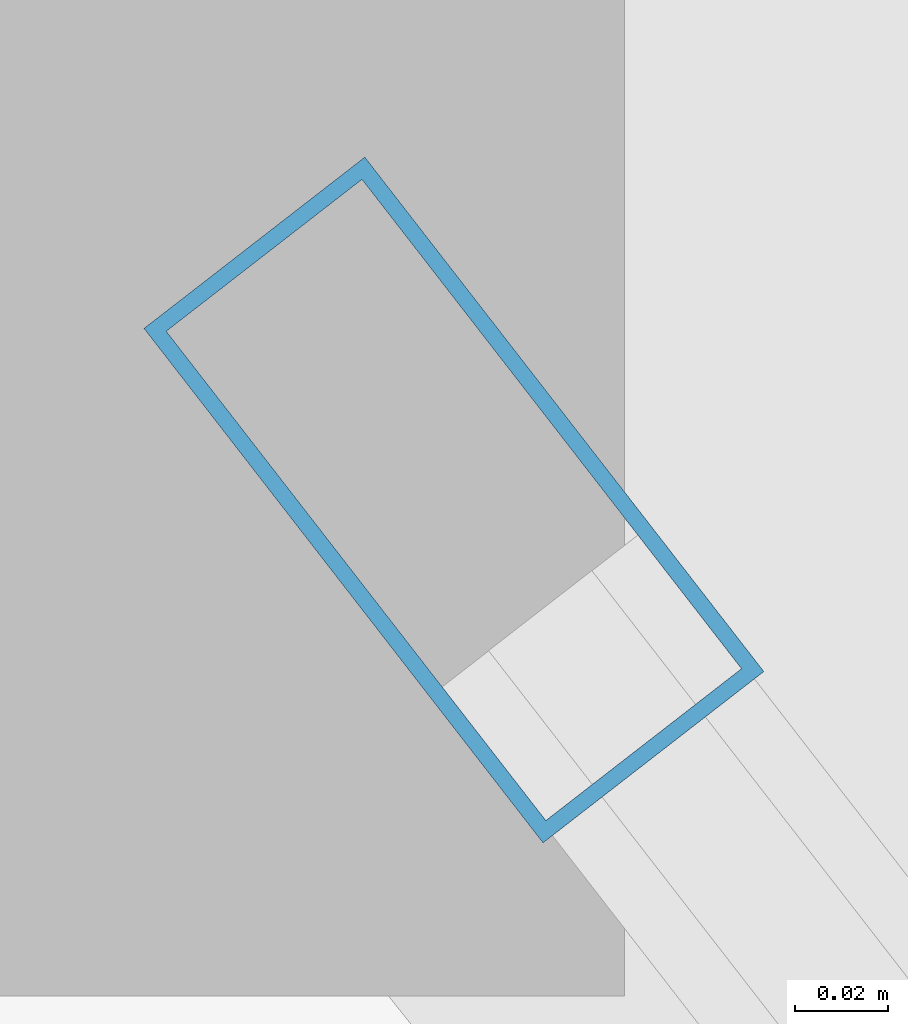
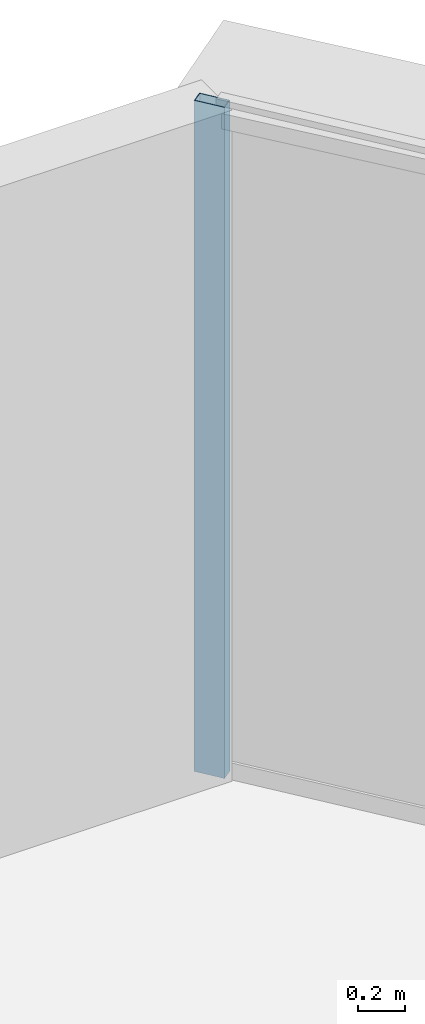
# One storey, part 25 of 33: 1 member, 1 element without a shape of its own.
"""IFC4 building model written with IfcOpenShell, lengths in metres."""

import ifcopenshell
import ifcopenshell.guid

model = None  # the IFC model being written
_history = None  # IfcOwnerHistory: only IFC2X3 demands one
_inside = {}  # id of a spatial element -> (the spatial element, [elements in it])
_under = {}  # id of a project, library or spatial element -> (it, [spatial elements below it])
_declared = {}  # id of a project -> (the project, [libraries it declares])
_typed = {}  # id of a type object -> (the type object, [elements of that type])
_made_of = {}  # id of a material, layer set ... -> (it, [elements and type objects made of it])


def new_model(schema):
    """Start an empty IFC model of exactly this schema.

    Asked for "IFC4X3", IfcOpenShell would pick the latest addendum, in which some entities
    have other attributes; the version numbers below select the first issue.
    IFC2X3 requires an IfcOwnerHistory on every rooted entity: one is made here for all.
    """
    global model, _history
    if schema == "IFC4X3":
        model = ifcopenshell.file(schema_version=(4, 3, 0, 0))
    else:
        model = ifcopenshell.file(schema=schema)
    _inside.clear()
    _under.clear()
    _declared.clear()
    _typed.clear()
    _made_of.clear()
    _history = None
    if model.schema == "IFC2X3":
        org = make("IfcOrganization", Name="unknown")
        user = make(
            "IfcPersonAndOrganization",
            ThePerson=make("IfcPerson", FamilyName="unknown"),
            TheOrganization=org,
        )
        app = make(
            "IfcApplication",
            ApplicationDeveloper=org,
            Version="unknown",
            ApplicationFullName="unknown",
            ApplicationIdentifier="unknown",
        )
        _history = make(
            "IfcOwnerHistory",
            OwningUser=user,
            OwningApplication=app,
            ChangeAction="ADDED",
            CreationDate=0,
        )
    return model


def make(cls, **values):
    """One entity of the class cls with the attributes given. An attribute that is None is left unset."""
    return model.create_entity(
        cls, **{name: value for name, value in values.items() if value is not None}
    )


def rooted(cls, **values):
    """An entity with a GlobalId (a new one), such as an element, a storey or a relation."""
    return make(cls, GlobalId=ifcopenshell.guid.new(), OwnerHistory=_history, **values)


def si_unit(unit_type, name, prefix=None):
    """IfcSIUnit, for example si_unit("LENGTHUNIT", "METRE", prefix="MILLI")."""
    return make("IfcSIUnit", UnitType=unit_type, Prefix=prefix, Name=name)


def assignment(units):
    """IfcUnitAssignment: the units of a project."""
    return None if units is None else make("IfcUnitAssignment", Units=units)


def point(xyz):
    """IfcCartesianPoint."""
    return None if xyz is None else make("IfcCartesianPoint", Coordinates=xyz)


def direction(xyz):
    """IfcDirection."""
    return None if xyz is None else make("IfcDirection", DirectionRatios=xyz)


def frame(location, z_axis=None, x_axis=None):
    """IfcAxis2Placement3D, a coordinate frame: its origin and axes. An axis left out is left unset."""
    return make(
        "IfcAxis2Placement3D",
        Location=point(location),
        Axis=direction(z_axis),
        RefDirection=direction(x_axis),
    )


def frame_2d(location, x_axis=None):
    """IfcAxis2Placement2D, a coordinate frame in the plane: its origin and x axis."""
    return make(
        "IfcAxis2Placement2D", Location=point(location), RefDirection=direction(x_axis)
    )


def origin():
    """The frame at (0, 0, 0) with its axes left unset."""
    return frame((0.0, 0.0, 0.0))


def origin_2d():
    """The frame at (0, 0) in the plane with its x axis left unset."""
    return frame_2d((0.0, 0.0))


def place(relative_to, where):
    """IfcLocalPlacement: puts the frame where relative to a parent placement (None: the world)."""
    return make(
        "IfcLocalPlacement", PlacementRelTo=relative_to, RelativePlacement=where
    )


def context(
    kind, dimensions, precision=None, world=None, true_north=None, identifier=None
):
    """IfcGeometricRepresentationContext, for example the 3D "Model" context."""
    return make(
        "IfcGeometricRepresentationContext",
        ContextIdentifier=identifier,
        ContextType=kind,
        CoordinateSpaceDimension=dimensions,
        Precision=precision,
        WorldCoordinateSystem=world,
        TrueNorth=true_north,
    )


def subcontext(parent, identifier, kind, view, scale=None):
    """IfcGeometricRepresentationSubContext, for example "Body" below "Model"."""
    return make(
        "IfcGeometricRepresentationSubContext",
        ContextIdentifier=identifier,
        ContextType=kind,
        ParentContext=parent,
        TargetScale=scale,
        TargetView=view,
    )


def project(units=None, contexts=None):
    """IfcProject with its units and contexts."""
    return rooted(
        "IfcProject",
        Name="project",
        RepresentationContexts=contexts,
        UnitsInContext=assignment(units),
    )


def spatial(cls, under=None, at=None, **own):
    """A site, building, storey or space (cls), placed at a placement, below another one or the project."""
    s = rooted(cls, ObjectPlacement=at, **own)
    if under is not None:
        _under.setdefault(under.id(), (under, []))[1].append(s)
    return s


def profile(cls, at=None, kind="AREA", **sizes):
    """A parametric profile (cls). Its sizes go by their IFC names, for example OverallWidth=200.0."""
    return make(cls, ProfileType=kind, Position=at, **sizes)


def hollow_rectangle(**sizes):
    """IfcRectangleHollowProfileDef."""
    return profile("IfcRectangleHollowProfileDef", **sizes)


def extrude(swept, where, along, depth):
    """IfcExtrudedAreaSolid: the profile swept, set in the frame where, extruded along a direction by depth."""
    return make(
        "IfcExtrudedAreaSolid",
        SweptArea=swept,
        Position=where,
        ExtrudedDirection=direction(along),
        Depth=depth,
    )


def shape(context_of_items, identifier, shape_type, items):
    """IfcShapeRepresentation: the items that make up one representation, for example the "Body"."""
    return make(
        "IfcShapeRepresentation",
        ContextOfItems=context_of_items,
        RepresentationIdentifier=identifier,
        RepresentationType=shape_type,
        Items=items,
    )


def source(mapping_origin, context_of_items, identifier, shape_type, items):
    """IfcRepresentationMap: a shape defined once, which mapped items show again and again."""
    return make(
        "IfcRepresentationMap",
        MappingOrigin=mapping_origin,
        MappedRepresentation=shape(context_of_items, identifier, shape_type, items),
    )


def transform(
    local_origin,
    x_axis=None,
    y_axis=None,
    z_axis=None,
    scale=None,
    scale2=None,
    scale3=None,
    uniform=True,
):
    """IfcCartesianTransformationOperator3D, or its non-uniform kind. x_axis, y_axis, z_axis: its Axis1, 2, 3."""
    if uniform:
        return make(
            "IfcCartesianTransformationOperator3D",
            Axis1=direction(x_axis),
            Axis2=direction(y_axis),
            LocalOrigin=point(local_origin),
            Scale=scale,
            Axis3=direction(z_axis),
        )
    return make(
        "IfcCartesianTransformationOperator3DnonUniform",
        Axis1=direction(x_axis),
        Axis2=direction(y_axis),
        LocalOrigin=point(local_origin),
        Scale=scale,
        Axis3=direction(z_axis),
        Scale2=scale2,
        Scale3=scale3,
    )


def mapped(mapping_source, mapping_target):
    """IfcMappedItem: shows the shape of a source again, moved by a transform."""
    return make(
        "IfcMappedItem", MappingSource=mapping_source, MappingTarget=mapping_target
    )


def material(Name=None, Category=None):
    """IfcMaterial."""
    return make("IfcMaterial", Name=Name, Category=Category)


def layer(
    of_material, thickness, ventilated=None, Name=None, Category=None, Priority=None
):
    """IfcMaterialLayer: one layer of a wall or slab, of a material (None: an air gap)."""
    return make(
        "IfcMaterialLayer",
        Material=of_material,
        LayerThickness=thickness,
        IsVentilated=ventilated,
        Name=Name,
        Category=Category,
        Priority=Priority,
    )


def layer_set(layers, Name=None):
    """IfcMaterialLayerSet."""
    return make("IfcMaterialLayerSet", MaterialLayers=layers, LayerSetName=Name)


def material_profile(
    of_material, cross_section, Name=None, Category=None, Priority=None
):
    """IfcMaterialProfile: a cross section and its material."""
    return make(
        "IfcMaterialProfile",
        Name=Name,
        Material=of_material,
        Profile=cross_section,
        Priority=Priority,
        Category=Category,
    )


def profile_set(profiles, Name=None, composite=None):
    """IfcMaterialProfileSet."""
    return make(
        "IfcMaterialProfileSet",
        Name=Name,
        MaterialProfiles=profiles,
        CompositeProfile=composite,
    )


def made_of(thing, what):
    """Note that an element or type object is made of a material, layer set ...; save() writes the relation."""
    if what is not None:
        _made_of.setdefault(what.id(), (what, []))[1].append(thing)
    return thing


def type_object(cls, material=None, **own):
    """A type object (cls), such as IfcWallType, which elements share."""
    return made_of(rooted(cls, **own), material)


def element(
    cls,
    number,
    at=None,
    inside=None,
    cuts=None,
    type_object=None,
    material=None,
    context=None,
    identifier="Body",
    shape_type=None,
    held_by="IfcProductDefinitionShape",
    body=None,
    shapes=None,
    **own,
):
    """One element of the class cls, such as IfcWall. Its Tag is "e" and its number.

    at: its placement. inside: the storey or other place that contains it. cuts: it is an
    opening in that element (IfcRelVoidsElement). A single representation is given by context,
    identifier, shape_type and body (its items); several are given by shapes. held_by: the class
    of the entity that holds the representations. save() writes the other relations.
    """
    e = rooted(cls, Tag="e%d" % number, ObjectPlacement=at, **own)
    if body is not None:
        shapes = [shape(context, identifier, shape_type, body)]
    if shapes is not None:
        e.Representation = make(held_by, Representations=shapes)
    if inside is not None:
        _inside.setdefault(inside.id(), (inside, []))[1].append(e)
    if cuts is not None:
        rooted(
            "IfcRelVoidsElement", RelatingBuildingElement=cuts, RelatedOpeningElement=e
        )
    if type_object is not None:
        _typed.setdefault(type_object.id(), (type_object, []))[1].append(e)
    return made_of(e, material)


def aggregate(whole, parts):
    """IfcRelAggregates: a whole, such as a stair, and the parts it consists of."""
    return rooted("IfcRelAggregates", RelatingObject=whole, RelatedObjects=parts)


def save(model, path):
    """Write the relations noted so far, then the file.

    IfcRelAggregates (storeys below a building ...), IfcRelContainedInSpatialStructure (elements
    in a storey), IfcRelDefinesByType, IfcRelAssociatesMaterial and IfcRelDeclares: one each for
    every whole, place, type object, material and project.
    """
    for whole, parts in _under.values():
        aggregate(whole, parts)
    for where, things in _inside.values():
        rooted(
            "IfcRelContainedInSpatialStructure",
            RelatedElements=things,
            RelatingStructure=where,
        )
    for kind, things in _typed.values():
        rooted("IfcRelDefinesByType", RelatedObjects=things, RelatingType=kind)
    for what, things in _made_of.values():
        rooted("IfcRelAssociatesMaterial", RelatedObjects=things, RelatingMaterial=what)
    for by, libraries in _declared.values():
        rooted("IfcRelDeclares", RelatingContext=by, RelatedDefinitions=libraries)
    model.write(path)


model = new_model("IFC4")

# Units and contexts
model_context = context("Model", 3, precision=1e-05, world=origin(), true_north=direction((0.0, 1.0)))
body_context = subcontext(model_context, "Body", "Model", "MODEL_VIEW")
ifc_project = project(units=[si_unit("LENGTHUNIT", "METRE"), si_unit("AREAUNIT", "SQUARE_METRE"), si_unit("VOLUMEUNIT", "CUBIC_METRE"), si_unit("PLANEANGLEUNIT", "RADIAN"), si_unit("MASSUNIT", "GRAM", prefix="KILO"), si_unit("THERMODYNAMICTEMPERATUREUNIT", "KELVIN"), si_unit("POWERUNIT", "WATT")], contexts=[model_context])

# Site, building, storey
site_placement = place(None, origin())
site = spatial("IfcSite", under=ifc_project, at=site_placement, CompositionType="ELEMENT")
building_placement = place(site_placement, origin())
building = spatial("IfcBuilding", under=site, at=building_placement, Name="Yunzhuo Pagoda Commons", CompositionType="ELEMENT")
storey_placement = place(building_placement, frame((0.0, 0.0, 325.510009765625)))
storey = spatial("IfcBuildingStorey", under=building, at=storey_placement, Name="L81", CompositionType="ELEMENT", Elevation=325.510009765625)

# Curtain wall, member
ifc_material = material(Name="Anodized aluminium 6063-T6", Category="aluminium")
ifc_layer = layer(ifc_material, 0.139892578125)
ifc_layer_set = layer_set([ifc_layer], Name="Anodized aluminium 6063-T6")
curtain_wall_type = type_object("IfcCurtainWallType", Name="CW-HI High-Zone Ribbon Curtain Wall", PredefinedType="NOTDEFINED", material=ifc_layer_set)
curtain_wall_placement = place(storey_placement, origin())
curtain_wall = element("IfcCurtainWall", 1, at=curtain_wall_placement, inside=storey, type_object=curtain_wall_type, Name="L81 curtain wall CW-L81-F2B5", PredefinedType="NOTDEFINED")
ifc_material_profile = material_profile(ifc_material, hollow_rectangle(XDim=0.06005859375, YDim=0.139892578125, WallThickness=0.00341796875, at=origin_2d()), Name="Anodized aluminium 6063-T6")
ifc_profile_set = profile_set([ifc_material_profile], Name="Anodized aluminium 6063-T6")
member_type = type_object("IfcMemberType", Name="CW-HI-M Mullion RHS 140x60x3.5", PredefinedType="MULLION", material=ifc_profile_set)
shared_shape = source(origin(), body_context, "Body", "SweptSolid", [
    extrude(hollow_rectangle(XDim=0.06005859375, YDim=0.139892578125, WallThickness=0.00341796875, at=origin_2d()), origin(), (0.0, 0.0, 1.0), 3.489990234375),
])
member_placement = place(storey_placement, frame((51.206787109375, 72.759765625, 0.0), z_axis=(0.0, 0.0, 1.0), x_axis=(-0.790146906982, -0.612917502921, 0.0)))
member = element("IfcMember", 2, at=member_placement, type_object=member_type, Name="CW mullion 2", PredefinedType="MULLION", context=body_context, shape_type="MappedRepresentation", body=[
    mapped(shared_shape, transform((0.0, 0.0, 0.0), scale=1.0)),
])
aggregate(curtain_wall, [member])

save(model, "model.ifc")
